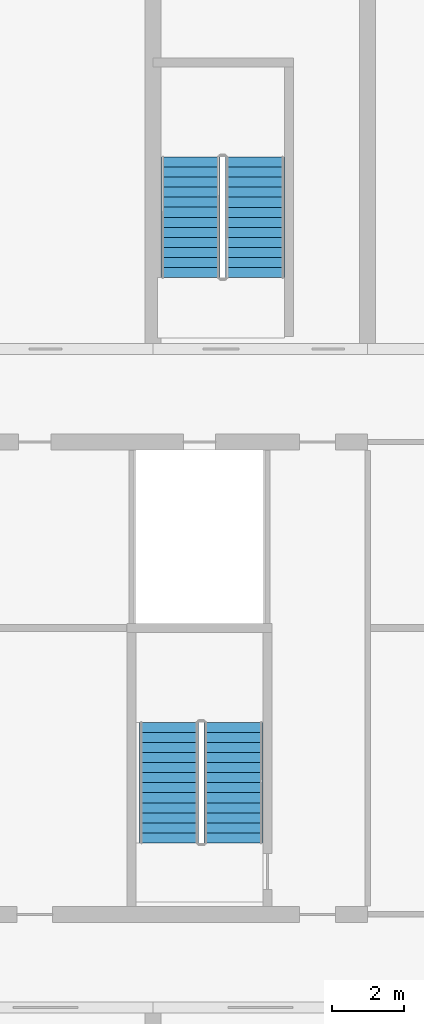
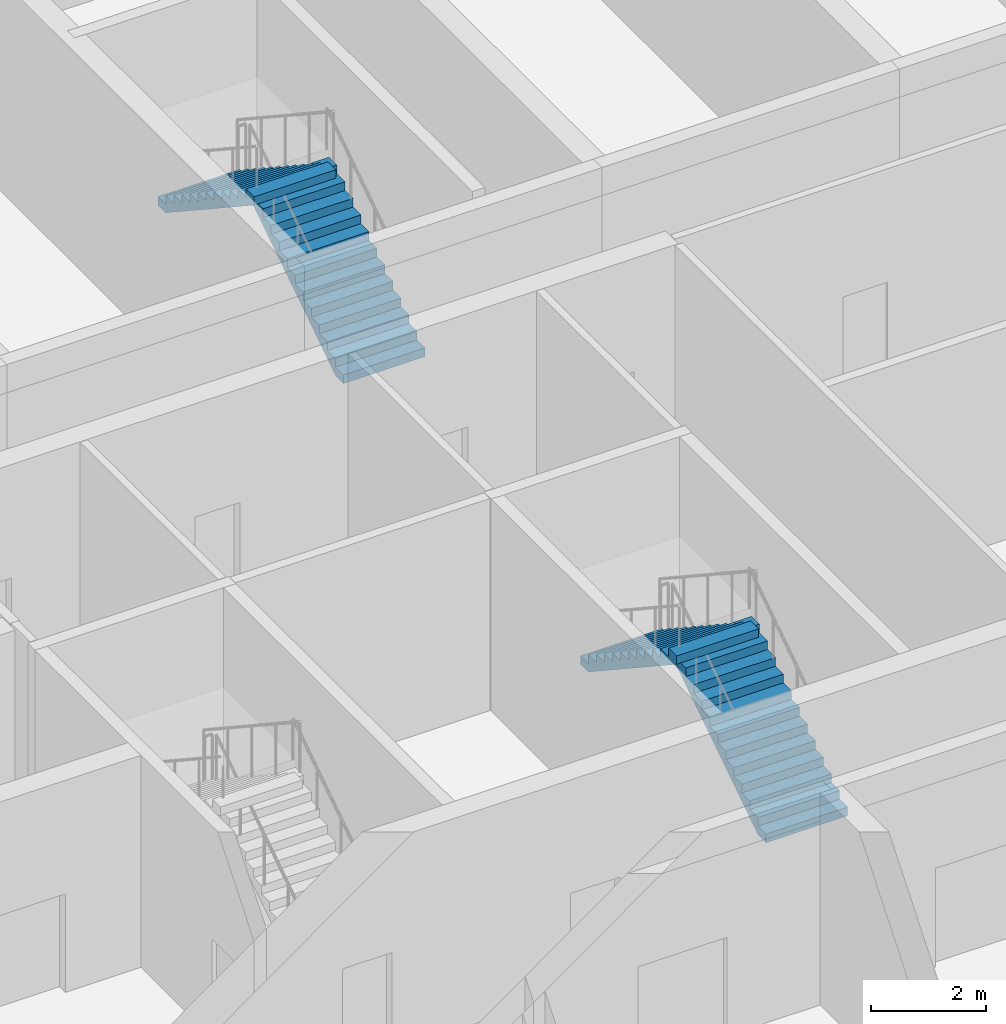
# One storey, part 17 of 20: 4 stair flights, 2 elements without a shape of their own.
"""IFC4 building model written with IfcOpenShell, lengths in metres."""

from ifc_helpers import new_model, si_unit, direction, frame, origin, place, context, subcontext, project, spatial, polyline, outline, extrude, material, layer, layer_set, type_object, element, aggregate, save


model = new_model("IFC4")

# Units and contexts
model_context = context("Model", 3, precision=1e-05, world=origin(), true_north=direction((0.0, 1.0)))
body_context = subcontext(model_context, "Body", "Model", "MODEL_VIEW")
ifc_project = project(units=[si_unit("LENGTHUNIT", "METRE"), si_unit("AREAUNIT", "SQUARE_METRE"), si_unit("VOLUMEUNIT", "CUBIC_METRE"), si_unit("PLANEANGLEUNIT", "RADIAN"), si_unit("MASSUNIT", "GRAM", prefix="KILO")], contexts=[model_context])

# Site, building, storey
site_placement = place(None, origin())
site = spatial("IfcSite", under=ifc_project, at=site_placement, CompositionType="ELEMENT")
building_placement = place(site_placement, origin())
building = spatial("IfcBuilding", under=site, at=building_placement, Name="Poui Terraces", CompositionType="ELEMENT")
storey_placement = place(building_placement, frame((0.0, 0.0, 6.0)))
storey = spatial("IfcBuildingStorey", under=building, at=storey_placement, Name="L01", CompositionType="ELEMENT", Elevation=6.0)

# Stair, stair flights
ifc_material = material(Name="Concrete 80 MPa", Category="concrete")
stair_type = type_object("IfcStairType", Name="EXIT STAIR 1650 80 MPA", PredefinedType="HALF_TURN_STAIR", material=ifc_material)
stair_1_placement = place(storey_placement, origin())
stair_1 = element("IfcStair", 1, at=stair_1_placement, inside=storey, type_object=stair_type, Name="L01 TIP STAIR EAST", PredefinedType="HALF_TURN_STAIR")
ifc_layer = layer(ifc_material, 0.14990234375)
ifc_layer_set = layer_set([ifc_layer], Name="Concrete 80 MPa")
stair_flight_type = type_object("IfcStairFlightType", Name="STAIR FLIGHT 13 RISERS 185 RISE 80 MPA", PredefinedType="STRAIGHT", material=ifc_layer_set)
stair_flight_1_placement = place(storey_placement, frame((80.25, 16.60009765625, 0.0), z_axis=(0.0, 0.0, 1.0), x_axis=(0.0, 1.0, 0.0)))
stair_flight_1 = element("IfcStairFlight", 2, at=stair_flight_1_placement, type_object=stair_flight_type, Name="ST-E flight 1", NumberOfRisers=13, NumberOfTreads=12, PredefinedType="STRAIGHT", RiserHeight=0.184615385, TreadLength=0.28, context=body_context, shape_type="SweptSolid", body=[
    extrude(outline(polyline([(0.0, 0.0), (0.0, 0.1845703125), (0.280029296875, 0.1845703125), (0.280029296875, 0.369140625), (0.56005859375, 0.369140625), (0.56005859375, 0.553955078125), (0.840087890625, 0.553955078125), (0.840087890625, 0.738525390625), (1.1201171875, 0.738525390625), (1.1201171875, 0.923095703125), (1.39990234375, 0.923095703125), (1.39990234375, 1.107666015625), (1.679931640625, 1.107666015625), (1.679931640625, 1.292236328125), (1.9599609375, 1.292236328125), (1.9599609375, 1.476806640625), (2.239990234375, 1.476806640625), (2.239990234375, 1.66162109375), (2.52001953125, 1.66162109375), (2.52001953125, 1.84619140625), (2.800048828125, 1.84619140625), (2.800048828125, 2.03076171875), (3.080078125, 2.03076171875), (3.080078125, 2.21533203125), (3.360107421875, 2.21533203125), (3.360107421875, 2.39990234375), (3.360107421875, 2.035888671875), (0.272216796875, 0.0), (0.0, 0.0)])), frame((0.0, 0.824951171875, 0.0), z_axis=(0.0, -1.0, 0.0), x_axis=(1.0, 0.0, 0.0)), (0.0, 0.0, 1.0), 1.64990234375),
])
stair_flight_2_placement = place(storey_placement, frame((78.449951171875, 19.9599609375, 2.39990234375), z_axis=(0.0, 0.0, 1.0), x_axis=(0.0, -1.0, 0.0)))
stair_flight_2 = element("IfcStairFlight", 3, at=stair_flight_2_placement, type_object=stair_flight_type, Name="ST-E flight 2", NumberOfRisers=13, NumberOfTreads=12, PredefinedType="STRAIGHT", RiserHeight=0.184615385, TreadLength=0.28, context=body_context, shape_type="SweptSolid", body=[
    extrude(outline(polyline([(0.0, 0.0), (0.0, 0.1845703125), (0.280029296875, 0.1845703125), (0.280029296875, 0.369140625), (0.56005859375, 0.369140625), (0.56005859375, 0.553955078125), (0.840087890625, 0.553955078125), (0.840087890625, 0.738525390625), (1.1201171875, 0.738525390625), (1.1201171875, 0.923095703125), (1.39990234375, 0.923095703125), (1.39990234375, 1.107666015625), (1.679931640625, 1.107666015625), (1.679931640625, 1.292236328125), (1.9599609375, 1.292236328125), (1.9599609375, 1.476806640625), (2.239990234375, 1.476806640625), (2.239990234375, 1.66162109375), (2.52001953125, 1.66162109375), (2.52001953125, 1.84619140625), (2.800048828125, 1.84619140625), (2.800048828125, 2.03076171875), (3.080078125, 2.03076171875), (3.080078125, 2.21533203125), (3.360107421875, 2.21533203125), (3.360107421875, 2.39990234375), (3.360107421875, 2.035888671875), (0.272216796875, 0.0), (0.0, 0.0)])), frame((0.0, 0.824951171875, 0.0), z_axis=(0.0, -1.0, 0.0), x_axis=(1.0, 0.0, 0.0)), (0.0, 0.0, 1.0), 1.64990234375),
])
aggregate(stair_1, [stair_flight_1, stair_flight_2])

stair_2_placement = place(storey_placement, origin())
stair_2 = element("IfcStair", 4, at=stair_2_placement, inside=storey, type_object=stair_type, Name="L01 PODIUM STAIR 2", PredefinedType="HALF_TURN_STAIR")
stair_flight_3_placement = place(storey_placement, frame((80.85009765625, 32.39990234375, 0.0), z_axis=(0.0, 0.0, 1.0), x_axis=(0.0, 1.0, 0.0)))
stair_flight_3 = element("IfcStairFlight", 5, at=stair_flight_3_placement, type_object=stair_flight_type, Name="ST-N2 flight 1", NumberOfRisers=13, NumberOfTreads=12, PredefinedType="STRAIGHT", RiserHeight=0.184615385, TreadLength=0.28, context=body_context, shape_type="SweptSolid", body=[
    extrude(outline(polyline([(0.0, 0.0), (0.0, 0.1845703125), (0.280029296875, 0.1845703125), (0.280029296875, 0.369140625), (0.56005859375, 0.369140625), (0.56005859375, 0.553955078125), (0.840087890625, 0.553955078125), (0.840087890625, 0.738525390625), (1.1201171875, 0.738525390625), (1.1201171875, 0.923095703125), (1.39990234375, 0.923095703125), (1.39990234375, 1.107666015625), (1.679931640625, 1.107666015625), (1.679931640625, 1.292236328125), (1.9599609375, 1.292236328125), (1.9599609375, 1.476806640625), (2.239990234375, 1.476806640625), (2.239990234375, 1.66162109375), (2.52001953125, 1.66162109375), (2.52001953125, 1.84619140625), (2.800048828125, 1.84619140625), (2.800048828125, 2.03076171875), (3.080078125, 2.03076171875), (3.080078125, 2.21533203125), (3.360107421875, 2.21533203125), (3.360107421875, 2.39990234375), (3.360107421875, 2.035888671875), (0.272216796875, 0.0), (0.0, 0.0)])), frame((0.0, 0.824951171875, 0.0), z_axis=(0.0, -1.0, 0.0), x_axis=(1.0, 0.0, 0.0)), (0.0, 0.0, 1.0), 1.64990234375),
])
stair_flight_4_placement = place(storey_placement, frame((79.050048828125, 35.760009765625, 2.39990234375), z_axis=(0.0, 0.0, 1.0), x_axis=(0.0, -1.0, 0.0)))
stair_flight_4 = element("IfcStairFlight", 6, at=stair_flight_4_placement, type_object=stair_flight_type, Name="ST-N2 flight 2", NumberOfRisers=13, NumberOfTreads=12, PredefinedType="STRAIGHT", RiserHeight=0.184615385, TreadLength=0.28, context=body_context, shape_type="SweptSolid", body=[
    extrude(outline(polyline([(0.0, 0.0), (0.0, 0.1845703125), (0.280029296875, 0.1845703125), (0.280029296875, 0.369140625), (0.56005859375, 0.369140625), (0.56005859375, 0.553955078125), (0.840087890625, 0.553955078125), (0.840087890625, 0.738525390625), (1.1201171875, 0.738525390625), (1.1201171875, 0.923095703125), (1.39990234375, 0.923095703125), (1.39990234375, 1.107666015625), (1.679931640625, 1.107666015625), (1.679931640625, 1.292236328125), (1.9599609375, 1.292236328125), (1.9599609375, 1.476806640625), (2.239990234375, 1.476806640625), (2.239990234375, 1.66162109375), (2.52001953125, 1.66162109375), (2.52001953125, 1.84619140625), (2.800048828125, 1.84619140625), (2.800048828125, 2.03076171875), (3.080078125, 2.03076171875), (3.080078125, 2.21533203125), (3.360107421875, 2.21533203125), (3.360107421875, 2.39990234375), (3.360107421875, 2.035888671875), (0.272216796875, 0.0), (0.0, 0.0)])), frame((0.0, 0.824951171875, 0.0), z_axis=(0.0, -1.0, 0.0), x_axis=(1.0, 0.0, 0.0)), (0.0, 0.0, 1.0), 1.64990234375),
])
aggregate(stair_2, [stair_flight_3, stair_flight_4])

save(model, "model.ifc")
